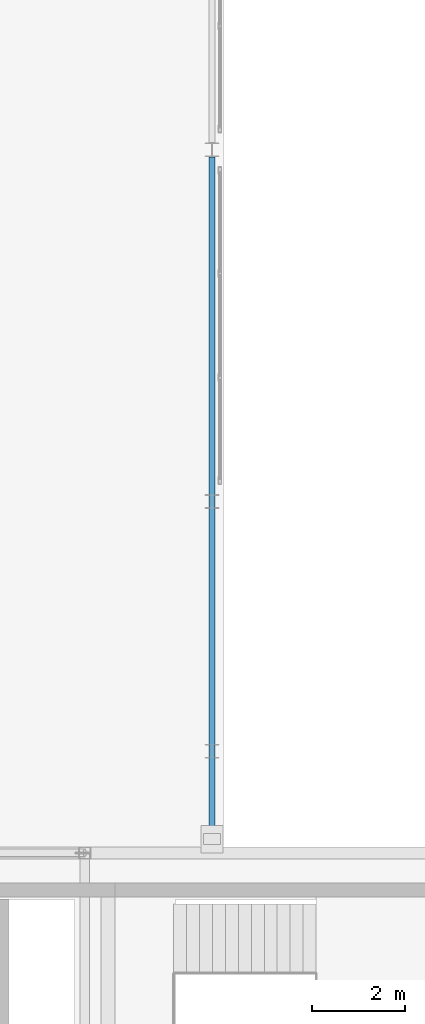
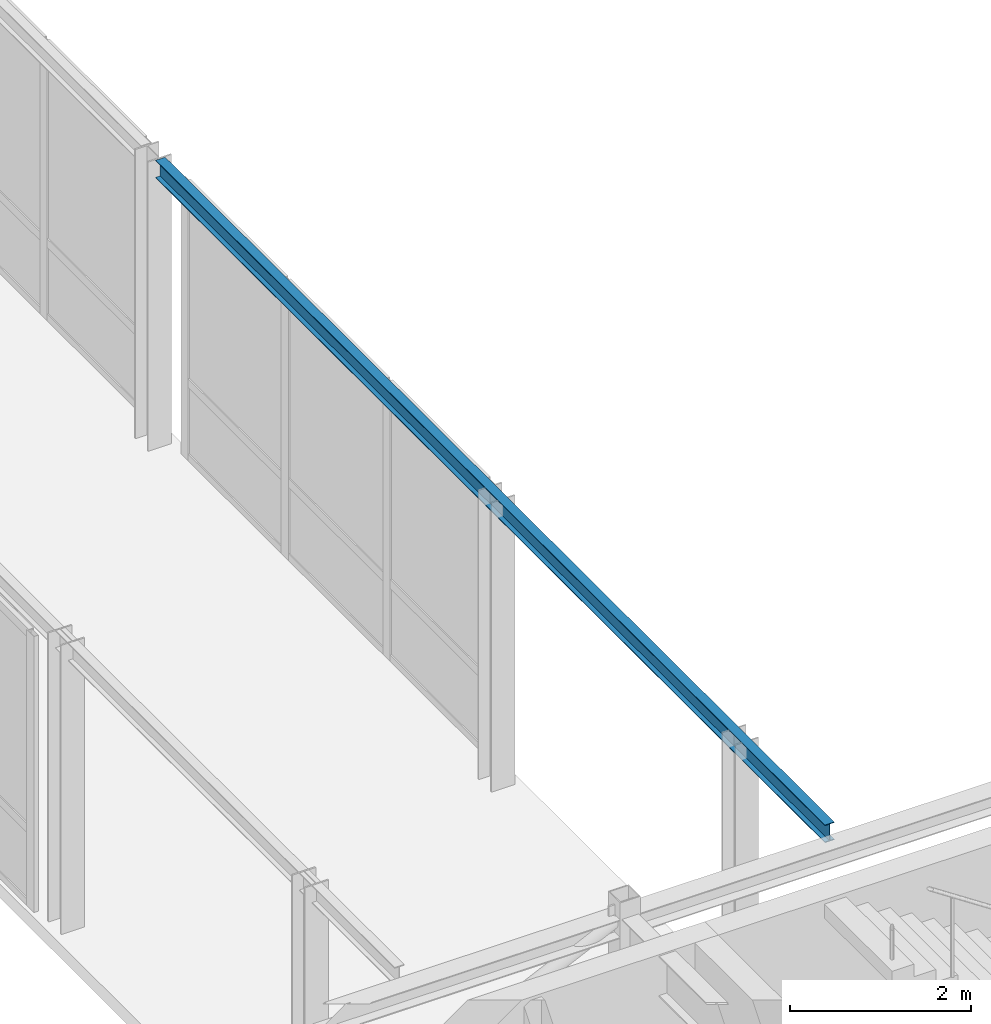
# One storey, part 126 of 189: 1 beam.
"""IFC4 building model written with IfcOpenShell, lengths in metres."""

from ifc_helpers import new_model, si_unit, direction, frame, origin, origin_2d, place, context, subcontext, project, spatial, i_section, extrude, material, material_profile, profile_set, type_object, element, save


model = new_model("IFC4")

# Units and contexts
model_context = context("Model", 3, precision=1e-05, world=origin(), true_north=direction((0.0, 1.0)))
body_context = subcontext(model_context, "Body", "Model", "MODEL_VIEW")
ifc_project = project(units=[si_unit("LENGTHUNIT", "METRE"), si_unit("AREAUNIT", "SQUARE_METRE"), si_unit("VOLUMEUNIT", "CUBIC_METRE"), si_unit("PLANEANGLEUNIT", "RADIAN"), si_unit("MASSUNIT", "GRAM", prefix="KILO")], contexts=[model_context])

# Site, building, storey
site_placement = place(None, origin())
site = spatial("IfcSite", under=ifc_project, at=site_placement, CompositionType="ELEMENT")
building_placement = place(site_placement, origin())
building = spatial("IfcBuilding", under=site, at=building_placement, Name="Montecoro Central Library", CompositionType="ELEMENT")
storey_placement = place(building_placement, frame((0.0, 0.0, 9.179931640625)))
storey = spatial("IfcBuildingStorey", under=building, at=storey_placement, Name="L02", CompositionType="ELEMENT", Elevation=9.179931640625)

# Beam
ifc_material = material(Name="Steel S355", Category="steel")
ifc_material_profile = material_profile(ifc_material, i_section(OverallWidth=0.1201171875, OverallDepth=0.239990234375, WebThickness=0.006103515625, FlangeThickness=0.009765625, at=origin_2d()), Name="IPE 240")
ifc_profile_set = profile_set([ifc_material_profile], Name="Steel S355")
beam_type = type_object("IfcBeamType", Name="BM-SP-IPE240", PredefinedType="SPANDREL", material=ifc_profile_set)
beam_placement = place(storey_placement, frame((159.75, 43.219970703125, 3.7880859375), z_axis=(0.0, 1.0, 0.0), x_axis=(-1.0, 0.0, 0.0)))
element("IfcBeam", 1, at=beam_placement, inside=storey, type_object=beam_type, Name="BR-E-ROOF-BM-E1", PredefinedType="SPANDREL", context=body_context, shape_type="SweptSolid", body=[
    extrude(i_section(OverallWidth=0.1201171875, OverallDepth=0.239990234375, WebThickness=0.006103515625, FlangeThickness=0.009765625, at=origin_2d()), origin(), (0.0, 0.0, 1.0), 14.820068359375),
])

save(model, "model.ifc")
